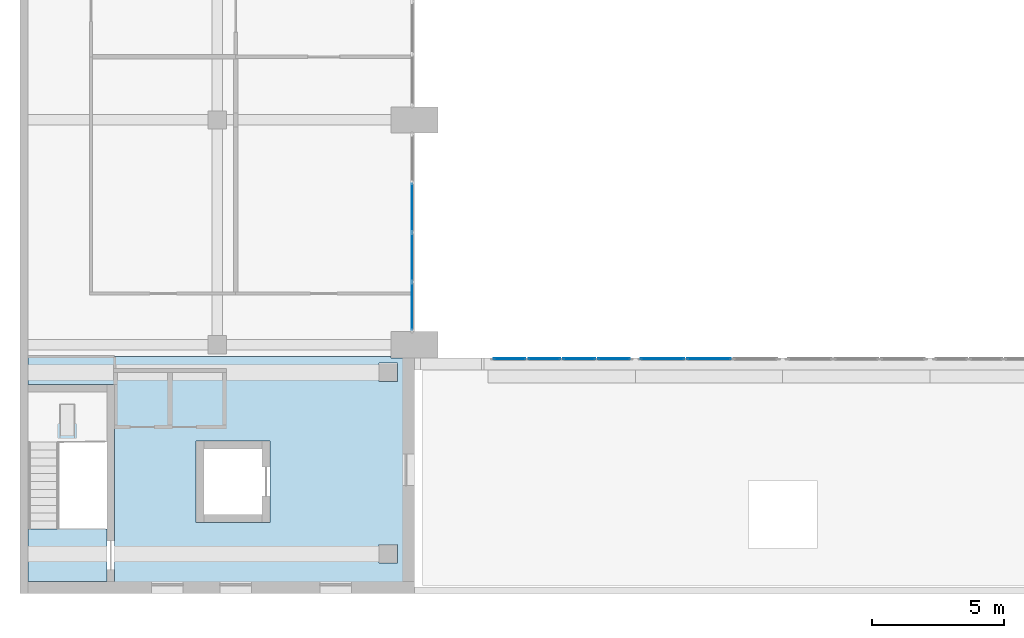
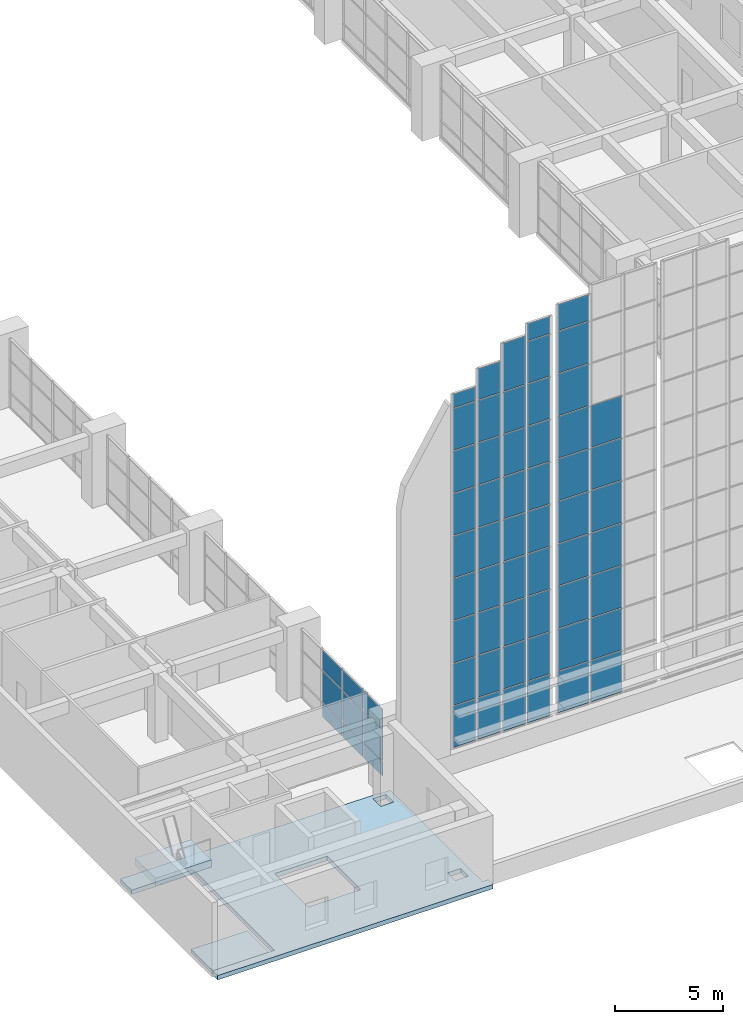
# One storey, part 18 of 45: 63 plates, 3 slabs, 8 elements without a shape of their own.
"""IFC4 building model written with IfcOpenShell, lengths in metres."""

from ifc_helpers import new_model, si_unit, direction, frame, origin, origin_2d, place, context, subcontext, project, spatial, polyline, rectangle, outline, extrude, material, layer, layer_set, type_object, element, aggregate, save


model = new_model("IFC4")

# Units and contexts
model_context = context("Model", 3, precision=1e-05, world=origin(), true_north=direction((0.0, 1.0)))
body_context = subcontext(model_context, "Body", "Model", "MODEL_VIEW")
ifc_project = project(units=[si_unit("LENGTHUNIT", "METRE"), si_unit("AREAUNIT", "SQUARE_METRE"), si_unit("VOLUMEUNIT", "CUBIC_METRE"), si_unit("PLANEANGLEUNIT", "RADIAN"), si_unit("MASSUNIT", "GRAM", prefix="KILO")], contexts=[model_context])

# Site, building, storey
site_placement = place(None, origin())
site = spatial("IfcSite", under=ifc_project, at=site_placement, CompositionType="ELEMENT")
building_placement = place(site_placement, origin())
building = spatial("IfcBuilding", under=site, at=building_placement, Name="Elmora Arch Market Hall", CompositionType="ELEMENT")
storey_placement = place(building_placement, frame((0.0, 0.0, 6.0)))
storey = spatial("IfcBuildingStorey", under=building, at=storey_placement, Name="L01", CompositionType="ELEMENT", Elevation=6.0)

# Slab
ifc_material_1 = material(Name="Concrete C32/40", Category="concrete")
ifc_layer_1 = layer(ifc_material_1, 0.25)
ifc_layer_set_1 = layer_set([ifc_layer_1], Name="Concrete C32/40")
slab_type_1 = type_object("IfcSlabType", Name="Floor slab 250", PredefinedType="FLOOR", material=ifc_layer_set_1)
slab_1_placement = place(storey_placement, frame((0.0, 0.0, -0.25)))
element("IfcSlab", 1, at=slab_1_placement, inside=storey, type_object=slab_type_1, Name="L01 floor slab SW", PredefinedType="FLOOR", context=body_context, shape_type="SweptSolid", body=[
    extrude(outline(polyline([(15.0, 18.0), (0.301025390625, 18.0), (0.301025390625, 18.448974609375), (3.60107421875, 18.448974609375), (3.60107421875, 25.950927734375), (0.301025390625, 25.950927734375), (0.301025390625, 27.0), (14.09912109375, 27.0), (14.09912109375, 26.948974609375), (14.698974609375, 26.948974609375), (14.698974609375, 18.448974609375), (15.0, 18.448974609375), (15.0, 18.0)]), holes=[polyline([(13.64892578125, 26.7509765625), (13.64892578125, 26.049072265625), (14.35107421875, 26.049072265625), (14.35107421875, 26.7509765625), (13.64892578125, 26.7509765625)]), polyline([(13.64892578125, 19.85107421875), (13.64892578125, 19.14892578125), (14.35107421875, 19.14892578125), (14.35107421875, 19.85107421875), (13.64892578125, 19.85107421875)]), polyline([(6.698974609375, 23.801025390625), (6.698974609375, 20.698974609375), (9.5009765625, 20.698974609375), (9.5009765625, 23.801025390625), (6.698974609375, 23.801025390625)])]), origin(), (0.0, 0.0, 1.0), 0.25),
])

# Curtain wall, plates
ifc_material_2 = material(Name="Aluminium", Category="aluminium")
curtain_wall_type_1 = type_object("IfcCurtainWallType", Name="Hall front curtain wall", PredefinedType="NOTDEFINED", material=ifc_material_2)
curtain_wall_1_placement = place(storey_placement, origin())
curtain_wall_1 = element("IfcCurtainWall", 2, at=curtain_wall_1_placement, inside=storey, type_object=curtain_wall_type_1, Name="Wing front W L01 1", PredefinedType="NOTDEFINED")
ifc_material_3 = material(Name="Glass", Category="glass")
ifc_layer_2 = layer(ifc_material_3, 0.028076171875)
ifc_layer_set_2 = layer_set([ifc_layer_2], Name="Glass")
plate_type = type_object("IfcPlateType", Name="Glass panel 28", PredefinedType="CURTAIN_PANEL", material=ifc_layer_set_2)
plate_1_placement = place(storey_placement, frame((14.89990234375, 28.913818359375, 0.06005859375), z_axis=(0.0, 0.0, 1.0), x_axis=(0.0, 1.0, 0.0)))
plate_1 = element("IfcPlate", 3, at=plate_1_placement, type_object=plate_type, Name="CW2 panel 1.1", PredefinedType="CURTAIN_PANEL", context=body_context, shape_type="SweptSolid", body=[
    extrude(rectangle(XDim=1.767578125, YDim=0.028076171875, at=origin_2d()), origin(), (0.0, 0.0, 1.0), 0.81005859375),
])
plate_2_placement = place(storey_placement, frame((14.89990234375, 28.913818359375, 0.93017578125), z_axis=(0.0, 0.0, 1.0), x_axis=(0.0, 1.0, 0.0)))
plate_2 = element("IfcPlate", 4, at=plate_2_placement, type_object=plate_type, Name="CW2 panel 1.2", PredefinedType="CURTAIN_PANEL", context=body_context, shape_type="SweptSolid", body=[
    extrude(rectangle(XDim=1.767578125, YDim=0.028076171875, at=origin_2d()), origin(), (0.0, 0.0, 1.0), 1.739990234375),
])
plate_3_placement = place(storey_placement, frame((14.89990234375, 28.913818359375, 2.72998046875), z_axis=(0.0, 0.0, 1.0), x_axis=(0.0, 1.0, 0.0)))
plate_3 = element("IfcPlate", 5, at=plate_3_placement, type_object=plate_type, Name="CW2 panel 1.3", PredefinedType="CURTAIN_PANEL", context=body_context, shape_type="SweptSolid", body=[
    extrude(rectangle(XDim=1.767578125, YDim=0.028076171875, at=origin_2d()), origin(), (0.0, 0.0, 1.0), 1.110107421875),
])
plate_4_placement = place(storey_placement, frame((14.89990234375, 30.78125, 0.06005859375), z_axis=(0.0, 0.0, 1.0), x_axis=(0.0, 1.0, 0.0)))
plate_4 = element("IfcPlate", 6, at=plate_4_placement, type_object=plate_type, Name="CW2 panel 2.1", PredefinedType="CURTAIN_PANEL", context=body_context, shape_type="SweptSolid", body=[
    extrude(rectangle(XDim=1.8076171875, YDim=0.028076171875, at=origin_2d()), origin(), (0.0, 0.0, 1.0), 0.81005859375),
])
plate_5_placement = place(storey_placement, frame((14.89990234375, 30.78125, 0.93017578125), z_axis=(0.0, 0.0, 1.0), x_axis=(0.0, 1.0, 0.0)))
plate_5 = element("IfcPlate", 7, at=plate_5_placement, type_object=plate_type, Name="CW2 panel 2.2", PredefinedType="CURTAIN_PANEL", context=body_context, shape_type="SweptSolid", body=[
    extrude(rectangle(XDim=1.8076171875, YDim=0.028076171875, at=origin_2d()), origin(), (0.0, 0.0, 1.0), 1.739990234375),
])
plate_6_placement = place(storey_placement, frame((14.89990234375, 30.78125, 2.72998046875), z_axis=(0.0, 0.0, 1.0), x_axis=(0.0, 1.0, 0.0)))
plate_6 = element("IfcPlate", 8, at=plate_6_placement, type_object=plate_type, Name="CW2 panel 2.3", PredefinedType="CURTAIN_PANEL", context=body_context, shape_type="SweptSolid", body=[
    extrude(rectangle(XDim=1.8076171875, YDim=0.028076171875, at=origin_2d()), origin(), (0.0, 0.0, 1.0), 1.110107421875),
])
plate_7_placement = place(storey_placement, frame((14.89990234375, 32.668701171875, 0.06005859375), z_axis=(0.0, 0.0, 1.0), x_axis=(0.0, 1.0, 0.0)))
plate_7 = element("IfcPlate", 9, at=plate_7_placement, type_object=plate_type, Name="CW2 panel 3.1", PredefinedType="CURTAIN_PANEL", context=body_context, shape_type="SweptSolid", body=[
    extrude(rectangle(XDim=1.8076171875, YDim=0.028076171875, at=origin_2d()), origin(), (0.0, 0.0, 1.0), 0.81005859375),
])
plate_8_placement = place(storey_placement, frame((14.89990234375, 32.668701171875, 0.93017578125), z_axis=(0.0, 0.0, 1.0), x_axis=(0.0, 1.0, 0.0)))
plate_8 = element("IfcPlate", 10, at=plate_8_placement, type_object=plate_type, Name="CW2 panel 3.2", PredefinedType="CURTAIN_PANEL", context=body_context, shape_type="SweptSolid", body=[
    extrude(rectangle(XDim=1.8076171875, YDim=0.028076171875, at=origin_2d()), origin(), (0.0, 0.0, 1.0), 1.739990234375),
])
plate_9_placement = place(storey_placement, frame((14.89990234375, 32.668701171875, 2.72998046875), z_axis=(0.0, 0.0, 1.0), x_axis=(0.0, 1.0, 0.0)))
plate_9 = element("IfcPlate", 11, at=plate_9_placement, type_object=plate_type, Name="CW2 panel 3.3", PredefinedType="CURTAIN_PANEL", context=body_context, shape_type="SweptSolid", body=[
    extrude(rectangle(XDim=1.8076171875, YDim=0.028076171875, at=origin_2d()), origin(), (0.0, 0.0, 1.0), 1.110107421875),
])
aggregate(curtain_wall_1, [plate_1, plate_2, plate_3, plate_4, plate_5, plate_6, plate_7, plate_8, plate_9])

ifc_material_4 = material(Name="Aluminium", Category="aluminium")
curtain_wall_type_2 = type_object("IfcCurtainWallType", Name="Gable curtain wall", PredefinedType="NOTDEFINED", material=ifc_material_4)
curtain_wall_2_placement = place(storey_placement, origin())
curtain_wall_2 = element("IfcCurtainWall", 12, at=curtain_wall_2_placement, inside=storey, type_object=curtain_wall_type_2, Name="South gable glazing 1", PredefinedType="NOTDEFINED")
plate_10_placement = place(storey_placement, frame((18.612548828125, 26.919921875, 1.260009765625), z_axis=(0.0, 0.0, 1.0), x_axis=(1.0, 0.0, 0.0)))
plate_10 = element("IfcPlate", 13, at=plate_10_placement, type_object=plate_type, Name="CW8 panel 1.1", PredefinedType="CURTAIN_PANEL", context=body_context, shape_type="SweptSolid", body=[
    extrude(rectangle(XDim=1.205078125, YDim=0.028076171875, at=origin_2d()), origin(), (0.0, 0.0, 1.0), 2.31005859375),
])
plate_11_placement = place(storey_placement, frame((18.612548828125, 26.919921875, 3.6298828125), z_axis=(0.0, 0.0, 1.0), x_axis=(1.0, 0.0, 0.0)))
plate_11 = element("IfcPlate", 14, at=plate_11_placement, type_object=plate_type, Name="CW8 panel 1.2", PredefinedType="CURTAIN_PANEL", context=body_context, shape_type="SweptSolid", body=[
    extrude(rectangle(XDim=1.205078125, YDim=0.028076171875, at=origin_2d()), origin(), (0.0, 0.0, 1.0), 2.340087890625),
])
plate_12_placement = place(storey_placement, frame((18.612548828125, 26.919921875, 6.02978515625), z_axis=(0.0, 0.0, 1.0), x_axis=(1.0, 0.0, 0.0)))
plate_12 = element("IfcPlate", 15, at=plate_12_placement, type_object=plate_type, Name="CW8 panel 1.3", PredefinedType="CURTAIN_PANEL", context=body_context, shape_type="SweptSolid", body=[
    extrude(rectangle(XDim=1.205078125, YDim=0.028076171875, at=origin_2d()), origin(), (0.0, 0.0, 1.0), 2.340087890625),
])
plate_13_placement = place(storey_placement, frame((18.612548828125, 26.919921875, 8.43017578125), z_axis=(0.0, 0.0, 1.0), x_axis=(1.0, 0.0, 0.0)))
plate_13 = element("IfcPlate", 16, at=plate_13_placement, type_object=plate_type, Name="CW8 panel 1.4", PredefinedType="CURTAIN_PANEL", context=body_context, shape_type="SweptSolid", body=[
    extrude(rectangle(XDim=1.205078125, YDim=0.028076171875, at=origin_2d()), origin(), (0.0, 0.0, 1.0), 2.340087890625),
])
plate_14_placement = place(storey_placement, frame((18.612548828125, 26.919921875, 10.830078125), z_axis=(0.0, 0.0, 1.0), x_axis=(1.0, 0.0, 0.0)))
plate_14 = element("IfcPlate", 17, at=plate_14_placement, type_object=plate_type, Name="CW8 panel 1.5", PredefinedType="CURTAIN_PANEL", context=body_context, shape_type="SweptSolid", body=[
    extrude(rectangle(XDim=1.205078125, YDim=0.028076171875, at=origin_2d()), origin(), (0.0, 0.0, 1.0), 2.340087890625),
])
plate_15_placement = place(storey_placement, frame((18.612548828125, 26.919921875, 13.22998046875), z_axis=(0.0, 0.0, 1.0), x_axis=(1.0, 0.0, 0.0)))
plate_15 = element("IfcPlate", 18, at=plate_15_placement, type_object=plate_type, Name="CW8 panel 1.6", PredefinedType="CURTAIN_PANEL", context=body_context, shape_type="SweptSolid", body=[
    extrude(rectangle(XDim=1.205078125, YDim=0.028076171875, at=origin_2d()), origin(), (0.0, 0.0, 1.0), 2.340087890625),
])
plate_16_placement = place(storey_placement, frame((18.612548828125, 26.919921875, 15.6298828125), z_axis=(0.0, 0.0, 1.0), x_axis=(1.0, 0.0, 0.0)))
plate_16 = element("IfcPlate", 19, at=plate_16_placement, type_object=plate_type, Name="CW8 panel 1.7", PredefinedType="CURTAIN_PANEL", context=body_context, shape_type="SweptSolid", body=[
    extrude(rectangle(XDim=1.205078125, YDim=0.028076171875, at=origin_2d()), origin(), (0.0, 0.0, 1.0), 2.340087890625),
])
plate_17_placement = place(storey_placement, frame((18.612548828125, 26.919921875, 18.02978515625), z_axis=(0.0, 0.0, 1.0), x_axis=(1.0, 0.0, 0.0)))
plate_17 = element("IfcPlate", 20, at=plate_17_placement, type_object=plate_type, Name="CW8 panel 1.8", PredefinedType="CURTAIN_PANEL", context=body_context, shape_type="SweptSolid", body=[
    extrude(rectangle(XDim=1.205078125, YDim=0.028076171875, at=origin_2d()), origin(), (0.0, 0.0, 1.0), 2.340087890625),
])
plate_18_placement = place(storey_placement, frame((18.612548828125, 26.919921875, 20.429931640625), z_axis=(0.0, 0.0, 1.0), x_axis=(1.0, 0.0, 0.0)))
plate_18 = element("IfcPlate", 21, at=plate_18_placement, type_object=plate_type, Name="CW8 panel 1.9", PredefinedType="CURTAIN_PANEL", context=body_context, shape_type="SweptSolid", body=[
    extrude(rectangle(XDim=1.205078125, YDim=0.028076171875, at=origin_2d()), origin(), (0.0, 0.0, 1.0), 0.76806640625),
])
aggregate(curtain_wall_2, [plate_10, plate_11, plate_12, plate_13, plate_14, plate_15, plate_16, plate_17, plate_18])

curtain_wall_3_placement = place(storey_placement, origin())
curtain_wall_3 = element("IfcCurtainWall", 22, at=curtain_wall_3_placement, inside=storey, type_object=curtain_wall_type_2, Name="South gable glazing 2", PredefinedType="NOTDEFINED")
plate_19_placement = place(storey_placement, frame((19.9375, 26.919921875, 1.260009765625), z_axis=(0.0, 0.0, 1.0), x_axis=(1.0, 0.0, 0.0)))
plate_19 = element("IfcPlate", 23, at=plate_19_placement, type_object=plate_type, Name="CW8 panel 1.1", PredefinedType="CURTAIN_PANEL", context=body_context, shape_type="SweptSolid", body=[
    extrude(rectangle(XDim=1.205078125, YDim=0.028076171875, at=origin_2d()), origin(), (0.0, 0.0, 1.0), 2.31005859375),
])
plate_20_placement = place(storey_placement, frame((19.9375, 26.919921875, 3.6298828125), z_axis=(0.0, 0.0, 1.0), x_axis=(1.0, 0.0, 0.0)))
plate_20 = element("IfcPlate", 24, at=plate_20_placement, type_object=plate_type, Name="CW8 panel 1.2", PredefinedType="CURTAIN_PANEL", context=body_context, shape_type="SweptSolid", body=[
    extrude(rectangle(XDim=1.205078125, YDim=0.028076171875, at=origin_2d()), origin(), (0.0, 0.0, 1.0), 2.340087890625),
])
plate_21_placement = place(storey_placement, frame((19.9375, 26.919921875, 6.02978515625), z_axis=(0.0, 0.0, 1.0), x_axis=(1.0, 0.0, 0.0)))
plate_21 = element("IfcPlate", 25, at=plate_21_placement, type_object=plate_type, Name="CW8 panel 1.3", PredefinedType="CURTAIN_PANEL", context=body_context, shape_type="SweptSolid", body=[
    extrude(rectangle(XDim=1.205078125, YDim=0.028076171875, at=origin_2d()), origin(), (0.0, 0.0, 1.0), 2.340087890625),
])
plate_22_placement = place(storey_placement, frame((19.9375, 26.919921875, 8.43017578125), z_axis=(0.0, 0.0, 1.0), x_axis=(1.0, 0.0, 0.0)))
plate_22 = element("IfcPlate", 26, at=plate_22_placement, type_object=plate_type, Name="CW8 panel 1.4", PredefinedType="CURTAIN_PANEL", context=body_context, shape_type="SweptSolid", body=[
    extrude(rectangle(XDim=1.205078125, YDim=0.028076171875, at=origin_2d()), origin(), (0.0, 0.0, 1.0), 2.340087890625),
])
plate_23_placement = place(storey_placement, frame((19.9375, 26.919921875, 10.830078125), z_axis=(0.0, 0.0, 1.0), x_axis=(1.0, 0.0, 0.0)))
plate_23 = element("IfcPlate", 27, at=plate_23_placement, type_object=plate_type, Name="CW8 panel 1.5", PredefinedType="CURTAIN_PANEL", context=body_context, shape_type="SweptSolid", body=[
    extrude(rectangle(XDim=1.205078125, YDim=0.028076171875, at=origin_2d()), origin(), (0.0, 0.0, 1.0), 2.340087890625),
])
plate_24_placement = place(storey_placement, frame((19.9375, 26.919921875, 13.22998046875), z_axis=(0.0, 0.0, 1.0), x_axis=(1.0, 0.0, 0.0)))
plate_24 = element("IfcPlate", 28, at=plate_24_placement, type_object=plate_type, Name="CW8 panel 1.6", PredefinedType="CURTAIN_PANEL", context=body_context, shape_type="SweptSolid", body=[
    extrude(rectangle(XDim=1.205078125, YDim=0.028076171875, at=origin_2d()), origin(), (0.0, 0.0, 1.0), 2.340087890625),
])
plate_25_placement = place(storey_placement, frame((19.9375, 26.919921875, 15.6298828125), z_axis=(0.0, 0.0, 1.0), x_axis=(1.0, 0.0, 0.0)))
plate_25 = element("IfcPlate", 29, at=plate_25_placement, type_object=plate_type, Name="CW8 panel 1.7", PredefinedType="CURTAIN_PANEL", context=body_context, shape_type="SweptSolid", body=[
    extrude(rectangle(XDim=1.205078125, YDim=0.028076171875, at=origin_2d()), origin(), (0.0, 0.0, 1.0), 2.340087890625),
])
plate_26_placement = place(storey_placement, frame((19.9375, 26.919921875, 18.02978515625), z_axis=(0.0, 0.0, 1.0), x_axis=(1.0, 0.0, 0.0)))
plate_26 = element("IfcPlate", 30, at=plate_26_placement, type_object=plate_type, Name="CW8 panel 1.8", PredefinedType="CURTAIN_PANEL", context=body_context, shape_type="SweptSolid", body=[
    extrude(rectangle(XDim=1.205078125, YDim=0.028076171875, at=origin_2d()), origin(), (0.0, 0.0, 1.0), 2.340087890625),
])
plate_27_placement = place(storey_placement, frame((19.9375, 26.919921875, 20.43017578125), z_axis=(0.0, 0.0, 1.0), x_axis=(1.0, 0.0, 0.0)))
plate_27 = element("IfcPlate", 31, at=plate_27_placement, type_object=plate_type, Name="CW8 panel 1.9", PredefinedType="CURTAIN_PANEL", context=body_context, shape_type="SweptSolid", body=[
    extrude(rectangle(XDim=1.205078125, YDim=0.028076171875, at=origin_2d()), origin(), (0.0, 0.0, 1.0), 1.741943359375),
])
aggregate(curtain_wall_3, [plate_19, plate_20, plate_21, plate_22, plate_23, plate_24, plate_25, plate_26, plate_27])

curtain_wall_4_placement = place(storey_placement, origin())
curtain_wall_4 = element("IfcCurtainWall", 32, at=curtain_wall_4_placement, inside=storey, type_object=curtain_wall_type_2, Name="South gable glazing 3", PredefinedType="NOTDEFINED")
plate_28_placement = place(storey_placement, frame((21.262451171875, 26.919921875, 1.260009765625), z_axis=(0.0, 0.0, 1.0), x_axis=(1.0, 0.0, 0.0)))
plate_28 = element("IfcPlate", 33, at=plate_28_placement, type_object=plate_type, Name="CW8 panel 1.1", PredefinedType="CURTAIN_PANEL", context=body_context, shape_type="SweptSolid", body=[
    extrude(rectangle(XDim=1.205078125, YDim=0.028076171875, at=origin_2d()), origin(), (0.0, 0.0, 1.0), 2.31005859375),
])
plate_29_placement = place(storey_placement, frame((21.262451171875, 26.919921875, 3.6298828125), z_axis=(0.0, 0.0, 1.0), x_axis=(1.0, 0.0, 0.0)))
plate_29 = element("IfcPlate", 34, at=plate_29_placement, type_object=plate_type, Name="CW8 panel 1.2", PredefinedType="CURTAIN_PANEL", context=body_context, shape_type="SweptSolid", body=[
    extrude(rectangle(XDim=1.205078125, YDim=0.028076171875, at=origin_2d()), origin(), (0.0, 0.0, 1.0), 2.340087890625),
])
plate_30_placement = place(storey_placement, frame((21.262451171875, 26.919921875, 6.02978515625), z_axis=(0.0, 0.0, 1.0), x_axis=(1.0, 0.0, 0.0)))
plate_30 = element("IfcPlate", 35, at=plate_30_placement, type_object=plate_type, Name="CW8 panel 1.3", PredefinedType="CURTAIN_PANEL", context=body_context, shape_type="SweptSolid", body=[
    extrude(rectangle(XDim=1.205078125, YDim=0.028076171875, at=origin_2d()), origin(), (0.0, 0.0, 1.0), 2.340087890625),
])
plate_31_placement = place(storey_placement, frame((21.262451171875, 26.919921875, 8.43017578125), z_axis=(0.0, 0.0, 1.0), x_axis=(1.0, 0.0, 0.0)))
plate_31 = element("IfcPlate", 36, at=plate_31_placement, type_object=plate_type, Name="CW8 panel 1.4", PredefinedType="CURTAIN_PANEL", context=body_context, shape_type="SweptSolid", body=[
    extrude(rectangle(XDim=1.205078125, YDim=0.028076171875, at=origin_2d()), origin(), (0.0, 0.0, 1.0), 2.340087890625),
])
plate_32_placement = place(storey_placement, frame((21.262451171875, 26.919921875, 10.830078125), z_axis=(0.0, 0.0, 1.0), x_axis=(1.0, 0.0, 0.0)))
plate_32 = element("IfcPlate", 37, at=plate_32_placement, type_object=plate_type, Name="CW8 panel 1.5", PredefinedType="CURTAIN_PANEL", context=body_context, shape_type="SweptSolid", body=[
    extrude(rectangle(XDim=1.205078125, YDim=0.028076171875, at=origin_2d()), origin(), (0.0, 0.0, 1.0), 2.340087890625),
])
plate_33_placement = place(storey_placement, frame((21.262451171875, 26.919921875, 13.22998046875), z_axis=(0.0, 0.0, 1.0), x_axis=(1.0, 0.0, 0.0)))
plate_33 = element("IfcPlate", 38, at=plate_33_placement, type_object=plate_type, Name="CW8 panel 1.6", PredefinedType="CURTAIN_PANEL", context=body_context, shape_type="SweptSolid", body=[
    extrude(rectangle(XDim=1.205078125, YDim=0.028076171875, at=origin_2d()), origin(), (0.0, 0.0, 1.0), 2.340087890625),
])
plate_34_placement = place(storey_placement, frame((21.262451171875, 26.919921875, 15.6298828125), z_axis=(0.0, 0.0, 1.0), x_axis=(1.0, 0.0, 0.0)))
plate_34 = element("IfcPlate", 39, at=plate_34_placement, type_object=plate_type, Name="CW8 panel 1.7", PredefinedType="CURTAIN_PANEL", context=body_context, shape_type="SweptSolid", body=[
    extrude(rectangle(XDim=1.205078125, YDim=0.028076171875, at=origin_2d()), origin(), (0.0, 0.0, 1.0), 2.340087890625),
])
plate_35_placement = place(storey_placement, frame((21.262451171875, 26.919921875, 18.02978515625), z_axis=(0.0, 0.0, 1.0), x_axis=(1.0, 0.0, 0.0)))
plate_35 = element("IfcPlate", 40, at=plate_35_placement, type_object=plate_type, Name="CW8 panel 1.8", PredefinedType="CURTAIN_PANEL", context=body_context, shape_type="SweptSolid", body=[
    extrude(rectangle(XDim=1.205078125, YDim=0.028076171875, at=origin_2d()), origin(), (0.0, 0.0, 1.0), 2.340087890625),
])
plate_36_placement = place(storey_placement, frame((21.262451171875, 26.919921875, 20.43017578125), z_axis=(0.0, 0.0, 1.0), x_axis=(1.0, 0.0, 0.0)))
plate_36 = element("IfcPlate", 41, at=plate_36_placement, type_object=plate_type, Name="CW8 panel 1.9", PredefinedType="CURTAIN_PANEL", context=body_context, shape_type="SweptSolid", body=[
    extrude(rectangle(XDim=1.205078125, YDim=0.028076171875, at=origin_2d()), origin(), (0.0, 0.0, 1.0), 2.717041015625),
])
aggregate(curtain_wall_4, [plate_28, plate_29, plate_30, plate_31, plate_32, plate_33, plate_34, plate_35, plate_36])

curtain_wall_5_placement = place(storey_placement, origin())
curtain_wall_5 = element("IfcCurtainWall", 42, at=curtain_wall_5_placement, inside=storey, type_object=curtain_wall_type_2, Name="South gable glazing 4", PredefinedType="NOTDEFINED")
plate_37_placement = place(storey_placement, frame((22.58740234375, 26.919921875, 1.260009765625), z_axis=(0.0, 0.0, 1.0), x_axis=(1.0, 0.0, 0.0)))
plate_37 = element("IfcPlate", 43, at=plate_37_placement, type_object=plate_type, Name="CW8 panel 1.1", PredefinedType="CURTAIN_PANEL", context=body_context, shape_type="SweptSolid", body=[
    extrude(rectangle(XDim=1.205078125, YDim=0.028076171875, at=origin_2d()), origin(), (0.0, 0.0, 1.0), 2.31005859375),
])
plate_38_placement = place(storey_placement, frame((22.58740234375, 26.919921875, 3.6298828125), z_axis=(0.0, 0.0, 1.0), x_axis=(1.0, 0.0, 0.0)))
plate_38 = element("IfcPlate", 44, at=plate_38_placement, type_object=plate_type, Name="CW8 panel 1.2", PredefinedType="CURTAIN_PANEL", context=body_context, shape_type="SweptSolid", body=[
    extrude(rectangle(XDim=1.205078125, YDim=0.028076171875, at=origin_2d()), origin(), (0.0, 0.0, 1.0), 2.340087890625),
])
plate_39_placement = place(storey_placement, frame((22.58740234375, 26.919921875, 6.02978515625), z_axis=(0.0, 0.0, 1.0), x_axis=(1.0, 0.0, 0.0)))
plate_39 = element("IfcPlate", 45, at=plate_39_placement, type_object=plate_type, Name="CW8 panel 1.3", PredefinedType="CURTAIN_PANEL", context=body_context, shape_type="SweptSolid", body=[
    extrude(rectangle(XDim=1.205078125, YDim=0.028076171875, at=origin_2d()), origin(), (0.0, 0.0, 1.0), 2.340087890625),
])
plate_40_placement = place(storey_placement, frame((22.58740234375, 26.919921875, 8.43017578125), z_axis=(0.0, 0.0, 1.0), x_axis=(1.0, 0.0, 0.0)))
plate_40 = element("IfcPlate", 46, at=plate_40_placement, type_object=plate_type, Name="CW8 panel 1.4", PredefinedType="CURTAIN_PANEL", context=body_context, shape_type="SweptSolid", body=[
    extrude(rectangle(XDim=1.205078125, YDim=0.028076171875, at=origin_2d()), origin(), (0.0, 0.0, 1.0), 2.340087890625),
])
plate_41_placement = place(storey_placement, frame((22.58740234375, 26.919921875, 10.830078125), z_axis=(0.0, 0.0, 1.0), x_axis=(1.0, 0.0, 0.0)))
plate_41 = element("IfcPlate", 47, at=plate_41_placement, type_object=plate_type, Name="CW8 panel 1.5", PredefinedType="CURTAIN_PANEL", context=body_context, shape_type="SweptSolid", body=[
    extrude(rectangle(XDim=1.205078125, YDim=0.028076171875, at=origin_2d()), origin(), (0.0, 0.0, 1.0), 2.340087890625),
])
plate_42_placement = place(storey_placement, frame((22.58740234375, 26.919921875, 13.22998046875), z_axis=(0.0, 0.0, 1.0), x_axis=(1.0, 0.0, 0.0)))
plate_42 = element("IfcPlate", 48, at=plate_42_placement, type_object=plate_type, Name="CW8 panel 1.6", PredefinedType="CURTAIN_PANEL", context=body_context, shape_type="SweptSolid", body=[
    extrude(rectangle(XDim=1.205078125, YDim=0.028076171875, at=origin_2d()), origin(), (0.0, 0.0, 1.0), 2.340087890625),
])
plate_43_placement = place(storey_placement, frame((22.58740234375, 26.919921875, 15.6298828125), z_axis=(0.0, 0.0, 1.0), x_axis=(1.0, 0.0, 0.0)))
plate_43 = element("IfcPlate", 49, at=plate_43_placement, type_object=plate_type, Name="CW8 panel 1.7", PredefinedType="CURTAIN_PANEL", context=body_context, shape_type="SweptSolid", body=[
    extrude(rectangle(XDim=1.205078125, YDim=0.028076171875, at=origin_2d()), origin(), (0.0, 0.0, 1.0), 2.340087890625),
])
plate_44_placement = place(storey_placement, frame((22.58740234375, 26.919921875, 18.02978515625), z_axis=(0.0, 0.0, 1.0), x_axis=(1.0, 0.0, 0.0)))
plate_44 = element("IfcPlate", 50, at=plate_44_placement, type_object=plate_type, Name="CW8 panel 1.8", PredefinedType="CURTAIN_PANEL", context=body_context, shape_type="SweptSolid", body=[
    extrude(rectangle(XDim=1.205078125, YDim=0.028076171875, at=origin_2d()), origin(), (0.0, 0.0, 1.0), 2.340087890625),
])
plate_45_placement = place(storey_placement, frame((22.58740234375, 26.919921875, 20.43017578125), z_axis=(0.0, 0.0, 1.0), x_axis=(1.0, 0.0, 0.0)))
plate_45 = element("IfcPlate", 51, at=plate_45_placement, type_object=plate_type, Name="CW8 panel 1.9", PredefinedType="CURTAIN_PANEL", context=body_context, shape_type="SweptSolid", body=[
    extrude(rectangle(XDim=1.205078125, YDim=0.028076171875, at=origin_2d()), origin(), (0.0, 0.0, 1.0), 2.340087890625),
])
plate_46_placement = place(storey_placement, frame((22.58740234375, 26.919921875, 22.830078125), z_axis=(0.0, 0.0, 1.0), x_axis=(1.0, 0.0, 0.0)))
plate_46 = element("IfcPlate", 52, at=plate_46_placement, type_object=plate_type, Name="CW8 panel 1.10", PredefinedType="CURTAIN_PANEL", context=body_context, shape_type="SweptSolid", body=[
    extrude(rectangle(XDim=1.205078125, YDim=0.028076171875, at=origin_2d()), origin(), (0.0, 0.0, 1.0), 0.955078125),
])
aggregate(curtain_wall_5, [plate_37, plate_38, plate_39, plate_40, plate_41, plate_42, plate_43, plate_44, plate_45, plate_46])

curtain_wall_6_placement = place(storey_placement, origin())
curtain_wall_6 = element("IfcCurtainWall", 53, at=curtain_wall_6_placement, inside=storey, type_object=curtain_wall_type_2, Name="South gable glazing 5", PredefinedType="NOTDEFINED")
plate_47_placement = place(storey_placement, frame((24.433349609375, 26.919921875, 1.260009765625), z_axis=(0.0, 0.0, 1.0), x_axis=(1.0, 0.0, 0.0)))
plate_47 = element("IfcPlate", 54, at=plate_47_placement, type_object=plate_type, Name="CW8 panel 1.1", PredefinedType="CURTAIN_PANEL", context=body_context, shape_type="SweptSolid", body=[
    extrude(rectangle(XDim=1.646728515625, YDim=0.028076171875, at=origin_2d()), origin(), (0.0, 0.0, 1.0), 2.31005859375),
])
plate_48_placement = place(storey_placement, frame((24.433349609375, 26.919921875, 3.6298828125), z_axis=(0.0, 0.0, 1.0), x_axis=(1.0, 0.0, 0.0)))
plate_48 = element("IfcPlate", 55, at=plate_48_placement, type_object=plate_type, Name="CW8 panel 1.2", PredefinedType="CURTAIN_PANEL", context=body_context, shape_type="SweptSolid", body=[
    extrude(rectangle(XDim=1.646728515625, YDim=0.028076171875, at=origin_2d()), origin(), (0.0, 0.0, 1.0), 2.340087890625),
])
plate_49_placement = place(storey_placement, frame((24.433349609375, 26.919921875, 6.02978515625), z_axis=(0.0, 0.0, 1.0), x_axis=(1.0, 0.0, 0.0)))
plate_49 = element("IfcPlate", 56, at=plate_49_placement, type_object=plate_type, Name="CW8 panel 1.3", PredefinedType="CURTAIN_PANEL", context=body_context, shape_type="SweptSolid", body=[
    extrude(rectangle(XDim=1.646728515625, YDim=0.028076171875, at=origin_2d()), origin(), (0.0, 0.0, 1.0), 2.340087890625),
])
plate_50_placement = place(storey_placement, frame((24.433349609375, 26.919921875, 8.43017578125), z_axis=(0.0, 0.0, 1.0), x_axis=(1.0, 0.0, 0.0)))
plate_50 = element("IfcPlate", 57, at=plate_50_placement, type_object=plate_type, Name="CW8 panel 1.4", PredefinedType="CURTAIN_PANEL", context=body_context, shape_type="SweptSolid", body=[
    extrude(rectangle(XDim=1.646728515625, YDim=0.028076171875, at=origin_2d()), origin(), (0.0, 0.0, 1.0), 2.340087890625),
])
plate_51_placement = place(storey_placement, frame((24.433349609375, 26.919921875, 10.830078125), z_axis=(0.0, 0.0, 1.0), x_axis=(1.0, 0.0, 0.0)))
plate_51 = element("IfcPlate", 58, at=plate_51_placement, type_object=plate_type, Name="CW8 panel 1.5", PredefinedType="CURTAIN_PANEL", context=body_context, shape_type="SweptSolid", body=[
    extrude(rectangle(XDim=1.646728515625, YDim=0.028076171875, at=origin_2d()), origin(), (0.0, 0.0, 1.0), 2.340087890625),
])
plate_52_placement = place(storey_placement, frame((24.433349609375, 26.919921875, 13.22998046875), z_axis=(0.0, 0.0, 1.0), x_axis=(1.0, 0.0, 0.0)))
plate_52 = element("IfcPlate", 59, at=plate_52_placement, type_object=plate_type, Name="CW8 panel 1.6", PredefinedType="CURTAIN_PANEL", context=body_context, shape_type="SweptSolid", body=[
    extrude(rectangle(XDim=1.646728515625, YDim=0.028076171875, at=origin_2d()), origin(), (0.0, 0.0, 1.0), 2.340087890625),
])
plate_53_placement = place(storey_placement, frame((24.433349609375, 26.919921875, 15.6298828125), z_axis=(0.0, 0.0, 1.0), x_axis=(1.0, 0.0, 0.0)))
plate_53 = element("IfcPlate", 60, at=plate_53_placement, type_object=plate_type, Name="CW8 panel 1.7", PredefinedType="CURTAIN_PANEL", context=body_context, shape_type="SweptSolid", body=[
    extrude(rectangle(XDim=1.646728515625, YDim=0.028076171875, at=origin_2d()), origin(), (0.0, 0.0, 1.0), 2.340087890625),
])
plate_54_placement = place(storey_placement, frame((24.433349609375, 26.919921875, 18.02978515625), z_axis=(0.0, 0.0, 1.0), x_axis=(1.0, 0.0, 0.0)))
plate_54 = element("IfcPlate", 61, at=plate_54_placement, type_object=plate_type, Name="CW8 panel 1.8", PredefinedType="CURTAIN_PANEL", context=body_context, shape_type="SweptSolid", body=[
    extrude(rectangle(XDim=1.646728515625, YDim=0.028076171875, at=origin_2d()), origin(), (0.0, 0.0, 1.0), 2.340087890625),
])
plate_55_placement = place(storey_placement, frame((24.433349609375, 26.919921875, 20.43017578125), z_axis=(0.0, 0.0, 1.0), x_axis=(1.0, 0.0, 0.0)))
plate_55 = element("IfcPlate", 62, at=plate_55_placement, type_object=plate_type, Name="CW8 panel 1.9", PredefinedType="CURTAIN_PANEL", context=body_context, shape_type="SweptSolid", body=[
    extrude(rectangle(XDim=1.646728515625, YDim=0.028076171875, at=origin_2d()), origin(), (0.0, 0.0, 1.0), 2.340087890625),
])
plate_56_placement = place(storey_placement, frame((24.433349609375, 26.919921875, 22.830078125), z_axis=(0.0, 0.0, 1.0), x_axis=(1.0, 0.0, 0.0)))
plate_56 = element("IfcPlate", 63, at=plate_56_placement, type_object=plate_type, Name="CW8 panel 1.10", PredefinedType="CURTAIN_PANEL", context=body_context, shape_type="SweptSolid", body=[
    extrude(rectangle(XDim=1.646728515625, YDim=0.028076171875, at=origin_2d()), origin(), (0.0, 0.0, 1.0), 1.468017578125),
])
aggregate(curtain_wall_6, [plate_47, plate_48, plate_49, plate_50, plate_51, plate_52, plate_53, plate_54, plate_55, plate_56])

curtain_wall_7_placement = place(storey_placement, origin())
curtain_wall_7 = element("IfcCurtainWall", 64, at=curtain_wall_7_placement, inside=storey, type_object=curtain_wall_type_2, Name="South gable glazing 6", PredefinedType="NOTDEFINED")
plate_57_placement = place(storey_placement, frame((26.199951171875, 26.919921875, 1.260009765625), z_axis=(0.0, 0.0, 1.0), x_axis=(1.0, 0.0, 0.0)))
plate_57 = element("IfcPlate", 65, at=plate_57_placement, type_object=plate_type, Name="CW8 panel 1.1", PredefinedType="CURTAIN_PANEL", context=body_context, shape_type="SweptSolid", body=[
    extrude(rectangle(XDim=1.646728515625, YDim=0.028076171875, at=origin_2d()), origin(), (0.0, 0.0, 1.0), 2.31005859375),
])
plate_58_placement = place(storey_placement, frame((26.199951171875, 26.919921875, 3.6298828125), z_axis=(0.0, 0.0, 1.0), x_axis=(1.0, 0.0, 0.0)))
plate_58 = element("IfcPlate", 66, at=plate_58_placement, type_object=plate_type, Name="CW8 panel 1.2", PredefinedType="CURTAIN_PANEL", context=body_context, shape_type="SweptSolid", body=[
    extrude(rectangle(XDim=1.646728515625, YDim=0.028076171875, at=origin_2d()), origin(), (0.0, 0.0, 1.0), 2.340087890625),
])
plate_59_placement = place(storey_placement, frame((26.199951171875, 26.919921875, 6.02978515625), z_axis=(0.0, 0.0, 1.0), x_axis=(1.0, 0.0, 0.0)))
plate_59 = element("IfcPlate", 67, at=plate_59_placement, type_object=plate_type, Name="CW8 panel 1.3", PredefinedType="CURTAIN_PANEL", context=body_context, shape_type="SweptSolid", body=[
    extrude(rectangle(XDim=1.646728515625, YDim=0.028076171875, at=origin_2d()), origin(), (0.0, 0.0, 1.0), 2.340087890625),
])
plate_60_placement = place(storey_placement, frame((26.199951171875, 26.919921875, 8.43017578125), z_axis=(0.0, 0.0, 1.0), x_axis=(1.0, 0.0, 0.0)))
plate_60 = element("IfcPlate", 68, at=plate_60_placement, type_object=plate_type, Name="CW8 panel 1.4", PredefinedType="CURTAIN_PANEL", context=body_context, shape_type="SweptSolid", body=[
    extrude(rectangle(XDim=1.646728515625, YDim=0.028076171875, at=origin_2d()), origin(), (0.0, 0.0, 1.0), 2.340087890625),
])
plate_61_placement = place(storey_placement, frame((26.199951171875, 26.919921875, 10.830078125), z_axis=(0.0, 0.0, 1.0), x_axis=(1.0, 0.0, 0.0)))
plate_61 = element("IfcPlate", 69, at=plate_61_placement, type_object=plate_type, Name="CW8 panel 1.5", PredefinedType="CURTAIN_PANEL", context=body_context, shape_type="SweptSolid", body=[
    extrude(rectangle(XDim=1.646728515625, YDim=0.028076171875, at=origin_2d()), origin(), (0.0, 0.0, 1.0), 2.340087890625),
])
plate_62_placement = place(storey_placement, frame((26.199951171875, 26.919921875, 13.22998046875), z_axis=(0.0, 0.0, 1.0), x_axis=(1.0, 0.0, 0.0)))
plate_62 = element("IfcPlate", 70, at=plate_62_placement, type_object=plate_type, Name="CW8 panel 1.6", PredefinedType="CURTAIN_PANEL", context=body_context, shape_type="SweptSolid", body=[
    extrude(rectangle(XDim=1.646728515625, YDim=0.028076171875, at=origin_2d()), origin(), (0.0, 0.0, 1.0), 2.340087890625),
])
plate_63_placement = place(storey_placement, frame((26.199951171875, 26.919921875, 15.6298828125), z_axis=(0.0, 0.0, 1.0), x_axis=(1.0, 0.0, 0.0)))
plate_63 = element("IfcPlate", 71, at=plate_63_placement, type_object=plate_type, Name="CW8 panel 1.7", PredefinedType="CURTAIN_PANEL", context=body_context, shape_type="SweptSolid", body=[
    extrude(rectangle(XDim=1.646728515625, YDim=0.028076171875, at=origin_2d()), origin(), (0.0, 0.0, 1.0), 2.340087890625),
])
aggregate(curtain_wall_7, [plate_57, plate_58, plate_59, plate_60, plate_61, plate_62, plate_63])

# Slab
ifc_material_5 = material(Name="Concrete C32/40", Category="concrete")
ifc_layer_3 = layer(ifc_material_5, 0.419921875)
ifc_layer_set_3 = layer_set([ifc_layer_3], Name="Concrete C32/40")
slab_type_2 = type_object("IfcSlabType", Name="Roof access platform 420", PredefinedType="FLOOR", material=ifc_layer_set_3)
slab_2_placement = place(storey_placement, frame((0.0, 0.0, 1.580078125)))
element("IfcSlab", 72, at=slab_2_placement, inside=storey, type_object=slab_type_2, Name="Roof access platform ST-WS", PredefinedType="FLOOR", context=body_context, shape_type="SweptSolid", body=[
    extrude(outline(polyline([(0.300048828125, 23.75), (3.300048828125, 23.75), (3.300048828125, 25.64990234375), (0.300048828125, 25.64990234375), (0.300048828125, 23.75)])), origin(), (0.0, 0.0, 1.0), 0.419921875),
])

# Stair, slab
ifc_material_6 = material(Name="Concrete C40/50", Category="concrete")
stair_type = type_object("IfcStairType", Name="Exit stair 1200", PredefinedType="TWO_STRAIGHT_RUN_STAIR", material=ifc_material_6)
stair_placement = place(storey_placement, origin())
stair = element("IfcStair", 73, at=stair_placement, inside=storey, type_object=stair_type, Name="Stair ST-WS L01", PredefinedType="TWO_STRAIGHT_RUN_STAIR")
ifc_material_7 = material(Name="Concrete C32/40", Category="concrete")
ifc_layer_4 = layer(ifc_material_7, 0.199951171875)
ifc_layer_set_4 = layer_set([ifc_layer_4], Name="Concrete C32/40")
slab_type_3 = type_object("IfcSlabType", Name="Stair landing 200", PredefinedType="LANDING", material=ifc_layer_set_4)
slab_3_placement = place(storey_placement, frame((0.0, 0.0, -0.199951171875)))
slab_3 = element("IfcSlab", 74, at=slab_3_placement, type_object=slab_type_3, Name="Stair ST-WS L01 landing 1", PredefinedType="LANDING", context=body_context, shape_type="SweptSolid", body=[
    extrude(outline(polyline([(0.300048828125, 18.449951171875), (3.300048828125, 18.449951171875), (3.300048828125, 20.449951171875), (0.300048828125, 20.449951171875), (0.300048828125, 18.449951171875)])), origin(), (0.0, 0.0, 1.0), 0.199951171875),
])
aggregate(stair, [slab_3])

save(model, "model.ifc")
